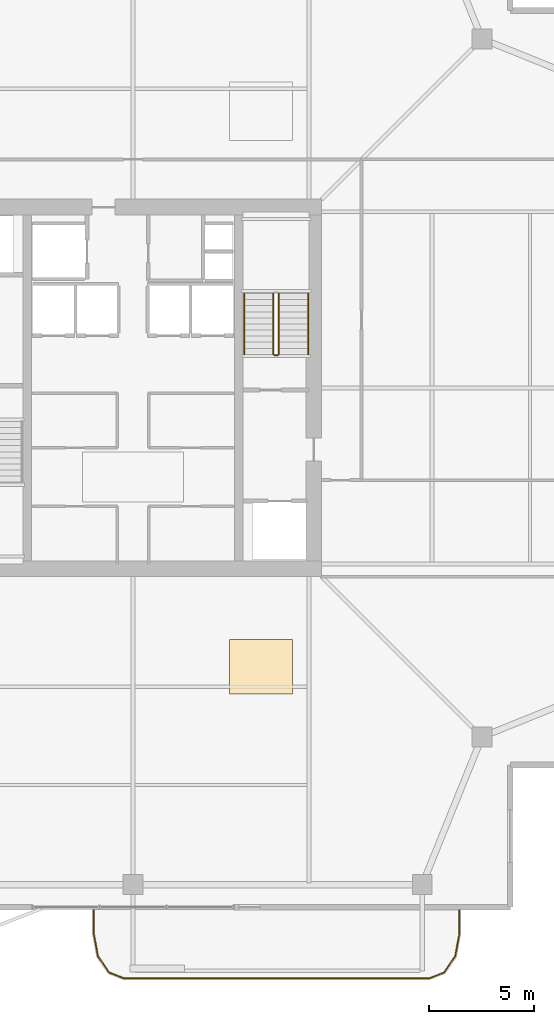
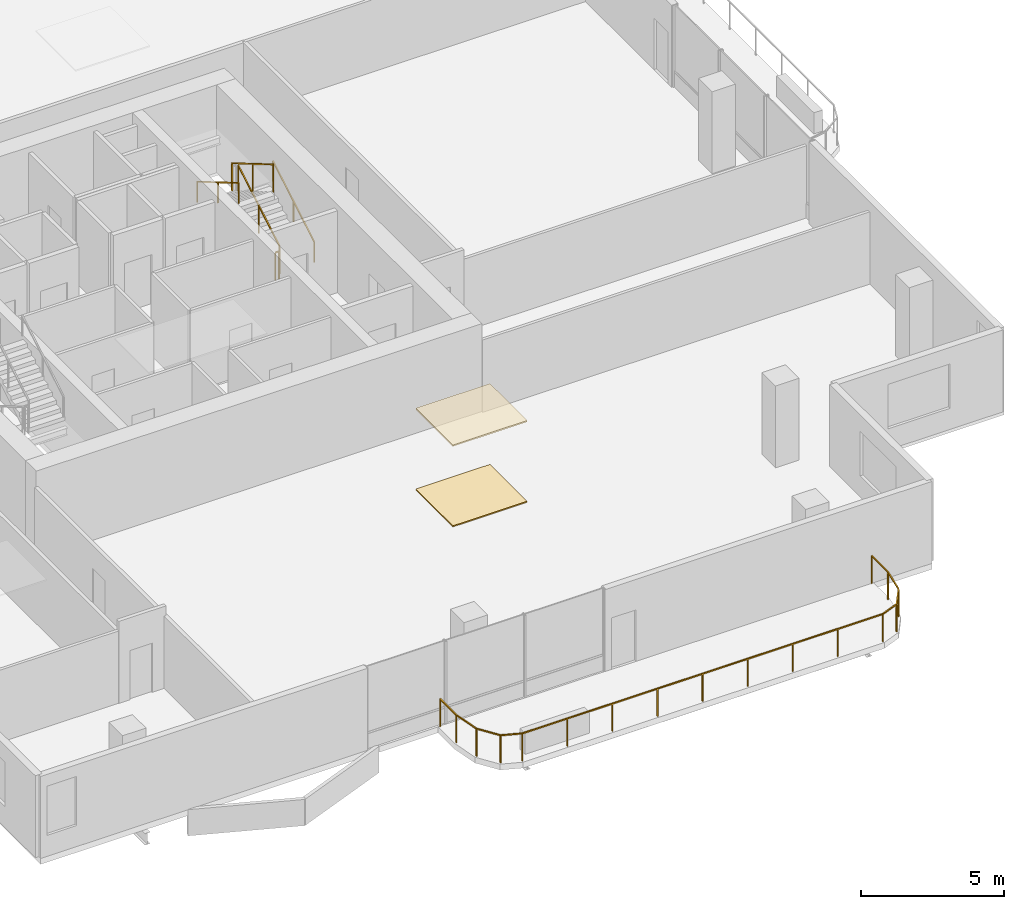
# One storey, part 22 of 24: 6 railings, 2 coverings.
"""IFC4 building model written with IfcOpenShell, lengths in metres."""

from ifc_helpers import new_model, si_unit, direction, frame, origin, origin_2d, place, context, subcontext, project, spatial, polyline, rectangle, outline, extrude, material, layer, layer_set, type_object, element, save


model = new_model("IFC4")

# Units and contexts
model_context = context("Model", 3, precision=1e-05, world=origin(), true_north=direction((0.0, 1.0)))
body_context = subcontext(model_context, "Body", "Model", "MODEL_VIEW")
ifc_project = project(units=[si_unit("LENGTHUNIT", "METRE"), si_unit("AREAUNIT", "SQUARE_METRE"), si_unit("VOLUMEUNIT", "CUBIC_METRE"), si_unit("PLANEANGLEUNIT", "RADIAN"), si_unit("MASSUNIT", "GRAM", prefix="KILO")], contexts=[model_context])

# Site, building, storey
site_placement = place(None, origin())
site = spatial("IfcSite", under=ifc_project, at=site_placement, CompositionType="ELEMENT")
building_placement = place(site_placement, origin())
building = spatial("IfcBuilding", under=site, at=building_placement, Name="Belovzor Exchange Tower", CompositionType="ELEMENT")
storey_placement = place(building_placement, frame((0.0, 0.0, 261.60009765625)))
storey = spatial("IfcBuildingStorey", under=building, at=storey_placement, Name="L65", CompositionType="ELEMENT", Elevation=261.60009765625)

# Railings
ifc_material_1 = material(Name="Stainless Steel Grade 304", Category="steel")
railing_type_1 = type_object("IfcRailingType", Name="Brushed Stainless Steel Stair Handrail 900", PredefinedType="HANDRAIL", material=ifc_material_1)
railing_1_placement = place(storey_placement, frame((37.14990234375, 30.39990234375, 0.17041015625)))
element("IfcRailing", 1, at=railing_1_placement, inside=storey, type_object=railing_type_1, Name="L65 ST-2 stair handrail 1", PredefinedType="HANDRAIL", context=body_context, shape_type="SweptSolid", body=[
    extrude(rectangle(XDim=0.048095703125, YDim=0.048095703125, at=origin_2d()), frame((0.0, 0.0, 0.8759765625), z_axis=(0.0, 0.862113265706, 0.506715617574), x_axis=(-1.0, 0.0, 0.0)), (0.0, 0.0, 1.0), 3.364013671875),
    extrude(rectangle(XDim=0.0419921875, YDim=0.0419921875, at=origin_2d()), origin(), (0.0, 0.0, 1.0), 0.851806640625),
    extrude(rectangle(XDim=0.0419921875, YDim=0.0419921875, at=origin_2d()), frame((0.0, 1.4501953125, 0.852294921875)), (0.0, 0.0, 1.0), 0.851806640625),
    extrude(rectangle(XDim=0.0419921875, YDim=0.0419921875, at=origin_2d()), frame((0.0, 2.900146484375, 1.70458984375)), (0.0, 0.0, 1.0), 0.851806640625),
])
railing_2_placement = place(storey_placement, frame((34.10009765625, 33.300048828125, 2.04541015625)))
element("IfcRailing", 2, at=railing_2_placement, inside=storey, type_object=railing_type_1, Name="L65 ST-2 stair handrail 2", PredefinedType="HANDRAIL", context=body_context, shape_type="SweptSolid", body=[
    extrude(rectangle(XDim=0.048095703125, YDim=0.048095703125, at=origin_2d()), frame((0.0, 0.0, 0.8759765625), z_axis=(0.0, -0.862113265706, 0.506715617574), x_axis=(1.0, 0.0, 0.0)), (0.0, 0.0, 1.0), 3.364013671875),
    extrude(rectangle(XDim=0.0419921875, YDim=0.0419921875, at=origin_2d()), origin(), (0.0, 0.0, 1.0), 0.851806640625),
    extrude(rectangle(XDim=0.0419921875, YDim=0.0419921875, at=origin_2d()), frame((0.0, -1.4501953125, 0.852294921875)), (0.0, 0.0, 1.0), 0.851806640625),
    extrude(rectangle(XDim=0.0419921875, YDim=0.0419921875, at=origin_2d()), frame((0.0, -2.900146484375, 1.70458984375)), (0.0, 0.0, 1.0), 0.851806640625),
])
ifc_material_2 = material(Name="Stainless Steel and Laminated Safety Glass", Category="steel")
railing_type_2 = type_object("IfcRailingType", Name="Laminated Glass & Stainless Steel Balcony Balustrade 1200", PredefinedType="BALUSTRADE", material=ifc_material_2)
railing_3_placement = place(storey_placement, frame((26.929931640625, 3.889892578125, 0.0)))
element("IfcRailing", 3, at=railing_3_placement, inside=storey, type_object=railing_type_2, Name="GR-1 Balcony Balustrade L65 South", PredefinedType="BALUSTRADE", context=body_context, shape_type="SweptSolid", body=[
    extrude(rectangle(XDim=0.048095703125, YDim=0.048095703125, at=origin_2d()), frame((0.0, 0.0, 1.17578125), z_axis=(0.0, -1.0, 0.0), x_axis=(1.0, 0.0, 0.0)), (0.0, 0.0, 1.0), 1.1328125),
    extrude(rectangle(XDim=0.048095703125, YDim=0.048095703125, at=origin_2d()), frame((0.0, -1.1328125, 1.17578125), z_axis=(0.180083182347, -0.983651385113, 0.0), x_axis=(0.983651385113, 0.180083182347, 0.0)), (0.0, 0.0, 1.0), 1.093994140625),
    extrude(rectangle(XDim=0.048095703125, YDim=0.048095703125, at=origin_2d()), frame((0.197021484375, -2.208984375, 1.17578125), z_axis=(0.56294695933, -0.826493025367, 0.0), x_axis=(0.826493025367, 0.56294695933, 0.0)), (0.0, 0.0, 1.0), 0.932861328125),
    extrude(rectangle(XDim=0.048095703125, YDim=0.048095703125, at=origin_2d()), frame((0.72216796875, -2.97998046875, 1.17578125), z_axis=(0.930766990125, -0.365612923861, 0.0), x_axis=(0.365612923861, 0.930766990125, 0.0)), (0.0, 0.0, 1.0), 0.765869140625),
    extrude(rectangle(XDim=0.048095703125, YDim=0.048095703125, at=origin_2d()), frame((1.43505859375, -3.260009765625, 1.17578125), z_axis=(1.0, 0.0, 0.0), x_axis=(0.0, 1.0, 0.0)), (0.0, 0.0, 1.0), 14.570068359375),
    extrude(rectangle(XDim=0.048095703125, YDim=0.048095703125, at=origin_2d()), frame((16.005126953125, -3.260009765625, 1.17578125), z_axis=(0.930766990125, 0.365612923861, 0.0), x_axis=(-0.365612923861, 0.930766990125, 0.0)), (0.0, 0.0, 1.0), 0.765869140625),
    extrude(rectangle(XDim=0.048095703125, YDim=0.048095703125, at=origin_2d()), frame((16.718017578125, -2.97998046875, 1.17578125), z_axis=(0.56294695933, 0.826493025367, 0.0), x_axis=(-0.826493025367, 0.56294695933, 0.0)), (0.0, 0.0, 1.0), 0.932861328125),
    extrude(rectangle(XDim=0.048095703125, YDim=0.048095703125, at=origin_2d()), frame((17.2431640625, -2.208984375, 1.17578125), z_axis=(0.180083182347, 0.983651385113, 0.0), x_axis=(-0.983651385113, 0.180083182347, 0.0)), (0.0, 0.0, 1.0), 1.093994140625),
    extrude(rectangle(XDim=0.048095703125, YDim=0.048095703125, at=origin_2d()), frame((17.440185546875, -1.1328125, 1.17578125), z_axis=(0.0, 1.0, 0.0), x_axis=(-1.0, 0.0, 0.0)), (0.0, 0.0, 1.0), 1.1328125),
    extrude(rectangle(XDim=0.0419921875, YDim=0.0419921875, at=origin_2d()), origin(), (0.0, 0.0, 1.0), 1.15185546875),
    extrude(rectangle(XDim=0.0419921875, YDim=0.0419921875, at=origin_2d()), frame((0.0, -1.1328125, 0.0)), (0.0, 0.0, 1.0), 1.15185546875),
    extrude(rectangle(XDim=0.0419921875, YDim=0.0419921875, at=origin_2d()), frame((0.197021484375, -2.208984375, 0.0)), (0.0, 0.0, 1.0), 1.15185546875),
    extrude(rectangle(XDim=0.0419921875, YDim=0.0419921875, at=origin_2d()), frame((0.72216796875, -2.97998046875, 0.0)), (0.0, 0.0, 1.0), 1.15185546875),
    extrude(rectangle(XDim=0.0419921875, YDim=0.0419921875, at=origin_2d()), frame((1.43505859375, -3.260009765625, 0.0)), (0.0, 0.0, 1.0), 1.15185546875),
    extrude(rectangle(XDim=0.0419921875, YDim=0.0419921875, at=origin_2d()), frame((3.25634765625, -3.260009765625, 0.0)), (0.0, 0.0, 1.0), 1.15185546875),
    extrude(rectangle(XDim=0.0419921875, YDim=0.0419921875, at=origin_2d()), frame((5.07763671875, -3.260009765625, 0.0)), (0.0, 0.0, 1.0), 1.15185546875),
    extrude(rectangle(XDim=0.0419921875, YDim=0.0419921875, at=origin_2d()), frame((6.89892578125, -3.260009765625, 0.0)), (0.0, 0.0, 1.0), 1.15185546875),
    extrude(rectangle(XDim=0.0419921875, YDim=0.0419921875, at=origin_2d()), frame((8.72021484375, -3.260009765625, 0.0)), (0.0, 0.0, 1.0), 1.15185546875),
    extrude(rectangle(XDim=0.0419921875, YDim=0.0419921875, at=origin_2d()), frame((10.541259765625, -3.260009765625, 0.0)), (0.0, 0.0, 1.0), 1.15185546875),
    extrude(rectangle(XDim=0.0419921875, YDim=0.0419921875, at=origin_2d()), frame((12.362548828125, -3.260009765625, 0.0)), (0.0, 0.0, 1.0), 1.15185546875),
    extrude(rectangle(XDim=0.0419921875, YDim=0.0419921875, at=origin_2d()), frame((14.183837890625, -3.260009765625, 0.0)), (0.0, 0.0, 1.0), 1.15185546875),
    extrude(rectangle(XDim=0.0419921875, YDim=0.0419921875, at=origin_2d()), frame((16.005126953125, -3.260009765625, 0.0)), (0.0, 0.0, 1.0), 1.15185546875),
    extrude(rectangle(XDim=0.0419921875, YDim=0.0419921875, at=origin_2d()), frame((16.718017578125, -2.97998046875, 0.0)), (0.0, 0.0, 1.0), 1.15185546875),
    extrude(rectangle(XDim=0.0419921875, YDim=0.0419921875, at=origin_2d()), frame((17.2431640625, -2.208984375, 0.0)), (0.0, 0.0, 1.0), 1.15185546875),
    extrude(rectangle(XDim=0.0419921875, YDim=0.0419921875, at=origin_2d()), frame((17.440185546875, -1.1328125, 0.0)), (0.0, 0.0, 1.0), 1.15185546875),
    extrude(rectangle(XDim=0.0419921875, YDim=0.0419921875, at=origin_2d()), frame((17.440185546875, 0.0, 0.0)), (0.0, 0.0, 1.0), 1.15185546875),
])
ifc_material_3 = material(Name="Steel S355", Category="steel")
railing_type_3 = type_object("IfcRailingType", Name="Painted Steel Stairwell Guardrail 1200", PredefinedType="GUARDRAIL", material=ifc_material_3)
railing_4_placement = place(storey_placement, frame((35.75, 30.39990234375, 0.17041015625)))
element("IfcRailing", 4, at=railing_4_placement, inside=storey, type_object=railing_type_3, Name="L65 ST-2 stair guard 1", PredefinedType="GUARDRAIL", context=body_context, shape_type="SweptSolid", body=[
    extrude(rectangle(XDim=0.048095703125, YDim=0.048095703125, at=origin_2d()), frame((0.0, 0.0, 1.17578125), z_axis=(0.0, 0.862113265706, 0.506715617574), x_axis=(-1.0, 0.0, 0.0)), (0.0, 0.0, 1.0), 3.364013671875),
    extrude(rectangle(XDim=0.0419921875, YDim=0.0419921875, at=origin_2d()), origin(), (0.0, 0.0, 1.0), 1.15185546875),
    extrude(rectangle(XDim=0.0419921875, YDim=0.0419921875, at=origin_2d()), frame((0.0, 1.4501953125, 0.852294921875)), (0.0, 0.0, 1.0), 1.15185546875),
    extrude(rectangle(XDim=0.0419921875, YDim=0.0419921875, at=origin_2d()), frame((0.0, 2.900146484375, 1.70458984375)), (0.0, 0.0, 1.0), 1.15185546875),
])
railing_5_placement = place(storey_placement, frame((35.5, 33.300048828125, 2.04541015625)))
element("IfcRailing", 5, at=railing_5_placement, inside=storey, type_object=railing_type_3, Name="L65 ST-2 stair guard 3", PredefinedType="GUARDRAIL", context=body_context, shape_type="SweptSolid", body=[
    extrude(rectangle(XDim=0.048095703125, YDim=0.048095703125, at=origin_2d()), frame((0.0, 0.0, 1.17578125), z_axis=(0.0, -0.862113265706, 0.506715617574), x_axis=(1.0, 0.0, 0.0)), (0.0, 0.0, 1.0), 3.364013671875),
    extrude(rectangle(XDim=0.0419921875, YDim=0.0419921875, at=origin_2d()), origin(), (0.0, 0.0, 1.0), 1.15185546875),
    extrude(rectangle(XDim=0.0419921875, YDim=0.0419921875, at=origin_2d()), frame((0.0, -1.4501953125, 0.852294921875)), (0.0, 0.0, 1.0), 1.15185546875),
    extrude(rectangle(XDim=0.0419921875, YDim=0.0419921875, at=origin_2d()), frame((0.0, -2.900146484375, 1.70458984375)), (0.0, 0.0, 1.0), 1.15185546875),
])
railing_6_placement = place(storey_placement, frame((35.699951171875, 30.35009765625, 0.0)))
element("IfcRailing", 6, at=railing_6_placement, inside=storey, type_object=railing_type_3, Name="L65 ST-2 stair guard 4", PredefinedType="GUARDRAIL", context=body_context, shape_type="SweptSolid", body=[
    extrude(rectangle(XDim=0.048095703125, YDim=0.048095703125, at=origin_2d()), frame((0.0, 0.0, 1.17578125), z_axis=(-1.0, 0.0, 0.0), x_axis=(0.0, -1.0, 0.0)), (0.0, 0.0, 1.0), 0.14990234375),
    extrude(rectangle(XDim=0.0419921875, YDim=0.0419921875, at=origin_2d()), origin(), (0.0, 0.0, 1.0), 1.15185546875),
    extrude(rectangle(XDim=0.0419921875, YDim=0.0419921875, at=origin_2d()), frame((-0.14990234375, 0.0, 0.0)), (0.0, 0.0, 1.0), 1.15185546875),
])

# Coverings
ifc_material_4 = material(Name="Perforated Powder-Coated Aluminium", Category="aluminium")
ifc_layer_1 = layer(ifc_material_4, 0.06005859375)
ifc_layer_set_1 = layer_set([ifc_layer_1], Name="Perforated Powder-Coated Aluminium")
covering_type_1 = type_object("IfcCoveringType", Name="Perforated Acoustic Metal Tile Suspended Ceiling 60", PredefinedType="CEILING", material=ifc_layer_set_1)
covering_1_placement = place(storey_placement, frame((0.0, 0.0, 3.43994140625)))
element("IfcCovering", 7, at=covering_1_placement, inside=storey, type_object=covering_type_1, Name="CLG-AC60 Suspended Ceiling CLG-L65-Z1", PredefinedType="CEILING", context=body_context, shape_type="SweptSolid", body=[
    extrude(outline(polyline([(33.39990234375, 14.199951171875), (36.39990234375, 14.199951171875), (36.39990234375, 16.800048828125), (33.39990234375, 16.800048828125), (33.39990234375, 14.199951171875)])), origin(), (0.0, 0.0, 1.0), 0.06005859375),
])
ifc_material_5 = material(Name="Polished Natural Granite Tile", Category="masonry")
ifc_layer_2 = layer(ifc_material_5, 0.050048828125)
ifc_layer_set_2 = layer_set([ifc_layer_2], Name="Polished Natural Granite Tile")
covering_type_2 = type_object("IfcCoveringType", Name="Polished Karelian Granite & Raised Access Floor Finish 50", PredefinedType="FLOORING", material=ifc_layer_set_2)
covering_2_placement = place(storey_placement, origin())
element("IfcCovering", 8, at=covering_2_placement, inside=storey, type_object=covering_type_2, Name="FLR-GR50 Floor Finish FLR-L65-Z1", PredefinedType="FLOORING", context=body_context, shape_type="SweptSolid", body=[
    extrude(outline(polyline([(33.39990234375, 14.199951171875), (36.39990234375, 14.199951171875), (36.39990234375, 16.800048828125), (33.39990234375, 16.800048828125), (33.39990234375, 14.199951171875)])), origin(), (0.0, 0.0, 1.0), 0.0498046875),
])

save(model, "model.ifc")
